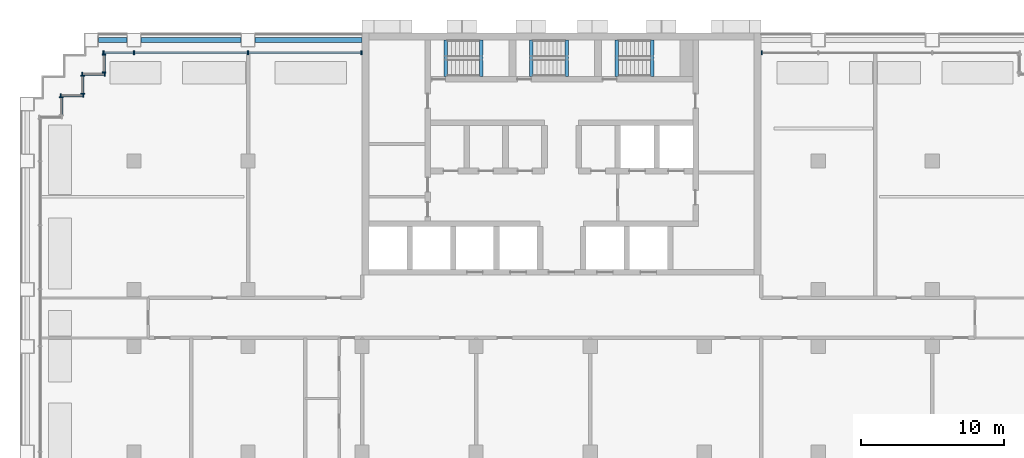
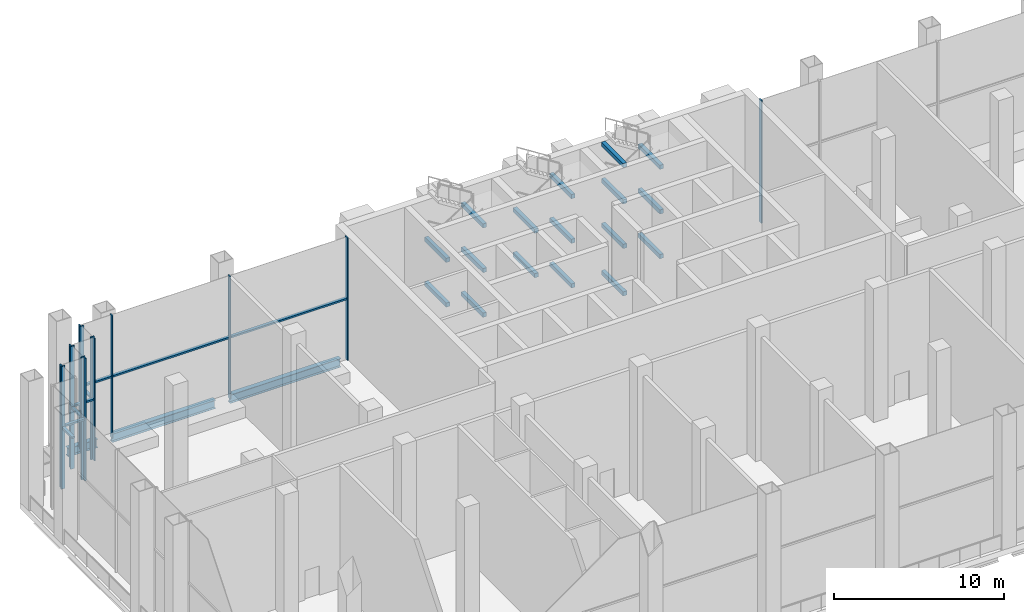
# One storey, part 4 of 16: 22 members, 20 beams, 7 elements without a shape of their own.
"""IFC4 building model written with IfcOpenShell, lengths in metres."""

from ifc_helpers import new_model, si_unit, direction, frame, origin, origin_2d, place, context, subcontext, project, spatial, rectangle, i_section, extrude, material, material_profile, profile_set, type_object, element, aggregate, save


model = new_model("IFC4")

# Units and contexts
model_context = context("Model", 3, precision=1e-05, world=origin(), true_north=direction((0.0, 1.0)))
body_context = subcontext(model_context, "Body", "Model", "MODEL_VIEW")
ifc_project = project(units=[si_unit("LENGTHUNIT", "METRE"), si_unit("AREAUNIT", "SQUARE_METRE"), si_unit("VOLUMEUNIT", "CUBIC_METRE"), si_unit("PLANEANGLEUNIT", "RADIAN"), si_unit("MASSUNIT", "GRAM", prefix="KILO")], contexts=[model_context])

# Site, building, storey
site_placement = place(None, origin())
site = spatial("IfcSite", under=ifc_project, at=site_placement, CompositionType="ELEMENT")
building_placement = place(site_placement, origin())
building = spatial("IfcBuilding", under=site, at=building_placement, Name="Vidyagriha Tower", CompositionType="ELEMENT")
storey_placement = place(building_placement, frame((0.0, 0.0, 64.0)))
storey = spatial("IfcBuildingStorey", under=building, at=storey_placement, Name="L17", CompositionType="ELEMENT", Elevation=64.0)

# Beams
ifc_material_1 = material(Name="Steel ASTM A992 Grade 50", Category="steel")
ifc_material_profile_1 = material_profile(ifc_material_1, i_section(OverallWidth=0.32373046875, OverallDepth=0.612060546875, WebThickness=0.0126953125, FlangeThickness=0.01904296875, at=origin_2d()), Name="W24X104")
ifc_profile_set_1 = profile_set([ifc_material_profile_1], Name="Steel ASTM A992 Grade 50")
beam_type_1 = type_object("IfcBeamType", Name="Edge beam W24X104", PredefinedType="SPANDREL", material=ifc_profile_set_1)
beam_1_placement = place(storey_placement, frame((-32.5, 19.5, -0.7060546875), z_axis=(1.0, 0.0, 0.0), x_axis=(0.0, 1.0, 0.0)))
element("IfcBeam", 1, at=beam_1_placement, inside=storey, type_object=beam_type_1, Name="st-beam-L17-NW20", PredefinedType="SPANDREL", context=body_context, shape_type="SweptSolid", body=[
    extrude(i_section(OverallWidth=0.32373046875, OverallDepth=0.612060546875, WebThickness=0.0126953125, FlangeThickness=0.01904296875, at=origin_2d()), origin(), (0.0, 0.0, 1.0), 2.0),
])
beam_2_placement = place(storey_placement, frame((-29.5, 19.5, -0.7060546875), z_axis=(1.0, 0.0, 0.0), x_axis=(0.0, 1.0, 0.0)))
element("IfcBeam", 2, at=beam_2_placement, inside=storey, type_object=beam_type_1, Name="st-beam-L17-NW21", PredefinedType="SPANDREL", context=body_context, shape_type="SweptSolid", body=[
    extrude(i_section(OverallWidth=0.32373046875, OverallDepth=0.612060546875, WebThickness=0.0126953125, FlangeThickness=0.01904296875, at=origin_2d()), origin(), (0.0, 0.0, 1.0), 7.0),
])
beam_3_placement = place(storey_placement, frame((-21.5, 19.5, -0.7060546875), z_axis=(1.0, 0.0, 0.0), x_axis=(0.0, 1.0, 0.0)))
element("IfcBeam", 3, at=beam_3_placement, inside=storey, type_object=beam_type_1, Name="st-beam-L17-NC24", PredefinedType="SPANDREL", context=body_context, shape_type="SweptSolid", body=[
    extrude(i_section(OverallWidth=0.32373046875, OverallDepth=0.612060546875, WebThickness=0.0126953125, FlangeThickness=0.01904296875, at=origin_2d()), origin(), (0.0, 0.0, 1.0), 7.5),
])

# Curtain wall, member
ifc_material_2 = material(Name="Aluminium and glass curtain wall", Category="aluminium")
curtain_wall_type = type_object("IfcCurtainWallType", Name="Winter garden glazing wall", PredefinedType="USERDEFINED", material=ifc_material_2)
curtain_wall_1_placement = place(storey_placement, origin())
curtain_wall_1 = element("IfcCurtainWall", 4, at=curtain_wall_1_placement, inside=storey, type_object=curtain_wall_type, Name="CW3 winter garden glazing", ObjectType="STICK GLAZING", PredefinedType="USERDEFINED")
ifc_material_3 = material(Name="Aluminium black anodised", Category="aluminium")
ifc_material_profile_2 = material_profile(ifc_material_3, rectangle(XDim=0.260009765625, YDim=0.080078125, at=origin_2d()), Name="Mullion 80x260 black aluminium")
ifc_profile_set_2 = profile_set([ifc_material_profile_2], Name="Aluminium black anodised")
member_type_1 = type_object("IfcMemberType", Name="Mullion 80x260 black aluminium", PredefinedType="MULLION", material=ifc_profile_set_2)
member_1_placement = place(storey_placement, frame((14.0400390625, 18.60009765625, 0.0), z_axis=(0.0, 0.0, 1.0), x_axis=(0.0, -1.0, 0.0)))
member_1 = element("IfcMember", 5, at=member_1_placement, type_object=member_type_1, Name="CW3 mullion 4", PredefinedType="MULLION", context=body_context, shape_type="SweptSolid", body=[
    extrude(rectangle(XDim=0.260009765625, YDim=0.080078125, at=origin_2d()), origin(), (0.0, 0.0, 1.0), 8.800048828125),
])
aggregate(curtain_wall_1, [member_1])

# Curtain wall, members
curtain_wall_2_placement = place(storey_placement, origin())
curtain_wall_2 = element("IfcCurtainWall", 6, at=curtain_wall_2_placement, inside=storey, type_object=curtain_wall_type, Name="CW3 winter garden glazing", ObjectType="STICK GLAZING", PredefinedType="USERDEFINED")
member_2_placement = place(storey_placement, frame((-14.0400390625, 18.60009765625, 0.0), z_axis=(0.0, 0.0, 1.0), x_axis=(0.0, -1.0, 0.0)))
member_2 = element("IfcMember", 7, at=member_2_placement, type_object=member_type_1, Name="CW3 mullion 1", PredefinedType="MULLION", context=body_context, shape_type="SweptSolid", body=[
    extrude(rectangle(XDim=0.260009765625, YDim=0.080078125, at=origin_2d()), origin(), (0.0, 0.0, 1.0), 8.800048828125),
])
member_3_placement = place(storey_placement, frame((-22.0, 18.60009765625, 0.0), z_axis=(0.0, 0.0, 1.0), x_axis=(0.0, -1.0, 0.0)))
member_3 = element("IfcMember", 8, at=member_3_placement, type_object=member_type_1, Name="CW3 mullion 2", PredefinedType="MULLION", context=body_context, shape_type="SweptSolid", body=[
    extrude(rectangle(XDim=0.260009765625, YDim=0.080078125, at=origin_2d()), origin(), (0.0, 0.0, 1.0), 8.800048828125),
])
member_4_placement = place(storey_placement, frame((-30.0, 18.60009765625, 0.0), z_axis=(0.0, 0.0, 1.0), x_axis=(0.0, -1.0, 0.0)))
member_4 = element("IfcMember", 9, at=member_4_placement, type_object=member_type_1, Name="CW3 mullion 3", PredefinedType="MULLION", context=body_context, shape_type="SweptSolid", body=[
    extrude(rectangle(XDim=0.260009765625, YDim=0.080078125, at=origin_2d()), origin(), (0.0, 0.0, 1.0), 8.800048828125),
])
member_5_placement = place(storey_placement, frame((-32.139892578125, 18.60009765625, 0.0), z_axis=(0.0, 0.0, 1.0), x_axis=(0.0, -1.0, 0.0)))
member_5 = element("IfcMember", 10, at=member_5_placement, type_object=member_type_1, Name="CW3 mullion 4", PredefinedType="MULLION", context=body_context, shape_type="SweptSolid", body=[
    extrude(rectangle(XDim=0.260009765625, YDim=0.080078125, at=origin_2d()), origin(), (0.0, 0.0, 1.0), 8.800048828125),
])

curtain_wall_3_placement = place(storey_placement, origin())
curtain_wall_3 = element("IfcCurtainWall", 11, at=curtain_wall_3_placement, inside=storey, type_object=curtain_wall_type, Name="CW3 winter garden glazing", ObjectType="STICK GLAZING", PredefinedType="USERDEFINED")
member_6_placement = place(storey_placement, frame((-32.10009765625, 18.47998046875, 0.0)))
member_6 = element("IfcMember", 12, at=member_6_placement, type_object=member_type_1, Name="CW3 mullion 1", PredefinedType="MULLION", context=body_context, shape_type="SweptSolid", body=[
    extrude(rectangle(XDim=0.260009765625, YDim=0.080078125, at=origin_2d()), origin(), (0.0, 0.0, 1.0), 8.800048828125),
])
member_7_placement = place(storey_placement, frame((-32.10009765625, 17.219970703125, 0.0)))
member_7 = element("IfcMember", 13, at=member_7_placement, type_object=member_type_1, Name="CW3 mullion 2", PredefinedType="MULLION", context=body_context, shape_type="SweptSolid", body=[
    extrude(rectangle(XDim=0.260009765625, YDim=0.080078125, at=origin_2d()), origin(), (0.0, 0.0, 1.0), 8.800048828125),
])

curtain_wall_4_placement = place(storey_placement, origin())
curtain_wall_4 = element("IfcCurtainWall", 14, at=curtain_wall_4_placement, inside=storey, type_object=curtain_wall_type, Name="CW3 winter garden glazing", ObjectType="STICK GLAZING", PredefinedType="USERDEFINED")
member_8_placement = place(storey_placement, frame((-32.06005859375, 17.10009765625, 0.0), z_axis=(0.0, 0.0, 1.0), x_axis=(0.0, -1.0, 0.0)))
member_8 = element("IfcMember", 15, at=member_8_placement, type_object=member_type_1, Name="CW3 mullion 1", PredefinedType="MULLION", context=body_context, shape_type="SweptSolid", body=[
    extrude(rectangle(XDim=0.260009765625, YDim=0.080078125, at=origin_2d()), origin(), (0.0, 0.0, 1.0), 8.800048828125),
])
member_9_placement = place(storey_placement, frame((-33.639892578125, 17.10009765625, 0.0), z_axis=(0.0, 0.0, 1.0), x_axis=(0.0, -1.0, 0.0)))
member_9 = element("IfcMember", 16, at=member_9_placement, type_object=member_type_1, Name="CW3 mullion 2", PredefinedType="MULLION", context=body_context, shape_type="SweptSolid", body=[
    extrude(rectangle(XDim=0.260009765625, YDim=0.080078125, at=origin_2d()), origin(), (0.0, 0.0, 1.0), 8.800048828125),
])

curtain_wall_5_placement = place(storey_placement, origin())
curtain_wall_5 = element("IfcCurtainWall", 17, at=curtain_wall_5_placement, inside=storey, type_object=curtain_wall_type, Name="CW3 winter garden glazing", ObjectType="STICK GLAZING", PredefinedType="USERDEFINED")
member_10_placement = place(storey_placement, frame((-33.60009765625, 16.97998046875, 0.0)))
member_10 = element("IfcMember", 18, at=member_10_placement, type_object=member_type_1, Name="CW3 mullion 1", PredefinedType="MULLION", context=body_context, shape_type="SweptSolid", body=[
    extrude(rectangle(XDim=0.260009765625, YDim=0.080078125, at=origin_2d()), origin(), (0.0, 0.0, 1.0), 8.800048828125),
])
member_11_placement = place(storey_placement, frame((-33.60009765625, 15.719970703125, 0.0)))
member_11 = element("IfcMember", 19, at=member_11_placement, type_object=member_type_1, Name="CW3 mullion 2", PredefinedType="MULLION", context=body_context, shape_type="SweptSolid", body=[
    extrude(rectangle(XDim=0.260009765625, YDim=0.080078125, at=origin_2d()), origin(), (0.0, 0.0, 1.0), 8.800048828125),
])

curtain_wall_6_placement = place(storey_placement, origin())
curtain_wall_6 = element("IfcCurtainWall", 20, at=curtain_wall_6_placement, inside=storey, type_object=curtain_wall_type, Name="CW3 winter garden glazing", ObjectType="STICK GLAZING", PredefinedType="USERDEFINED")
member_12_placement = place(storey_placement, frame((-33.56005859375, 15.60009765625, 0.0), z_axis=(0.0, 0.0, 1.0), x_axis=(0.0, -1.0, 0.0)))
member_12 = element("IfcMember", 21, at=member_12_placement, type_object=member_type_1, Name="CW3 mullion 1", PredefinedType="MULLION", context=body_context, shape_type="SweptSolid", body=[
    extrude(rectangle(XDim=0.260009765625, YDim=0.080078125, at=origin_2d()), origin(), (0.0, 0.0, 1.0), 8.800048828125),
])
member_13_placement = place(storey_placement, frame((-35.139892578125, 15.60009765625, 0.0), z_axis=(0.0, 0.0, 1.0), x_axis=(0.0, -1.0, 0.0)))
member_13 = element("IfcMember", 22, at=member_13_placement, type_object=member_type_1, Name="CW3 mullion 2", PredefinedType="MULLION", context=body_context, shape_type="SweptSolid", body=[
    extrude(rectangle(XDim=0.260009765625, YDim=0.080078125, at=origin_2d()), origin(), (0.0, 0.0, 1.0), 8.800048828125),
])

# Curtain wall, member
curtain_wall_7_placement = place(storey_placement, origin())
curtain_wall_7 = element("IfcCurtainWall", 23, at=curtain_wall_7_placement, inside=storey, type_object=curtain_wall_type, Name="CW3 winter garden glazing", ObjectType="STICK GLAZING", PredefinedType="USERDEFINED")
member_14_placement = place(storey_placement, frame((-35.10009765625, 15.47998046875, 0.0)))
member_14 = element("IfcMember", 24, at=member_14_placement, type_object=member_type_1, Name="CW3 mullion 1", PredefinedType="MULLION", context=body_context, shape_type="SweptSolid", body=[
    extrude(rectangle(XDim=0.260009765625, YDim=0.080078125, at=origin_2d()), origin(), (0.0, 0.0, 1.0), 8.800048828125),
])

# Beams
ifc_material_4 = material(Name="Concrete C40/50", Category="concrete")
ifc_material_profile_3 = material_profile(ifc_material_4, rectangle(XDim=0.25, YDim=0.300048828125, at=origin_2d()), Name="Stair landing bearing beam 250x300")
ifc_profile_set_3 = profile_set([ifc_material_profile_3], Name="Concrete C40/50")
beam_type_2 = type_object("IfcBeamType", Name="Stair landing bearing beam 250x300", PredefinedType="BEAM", material=ifc_profile_set_3)
for number, where, z_axis, x_axis, name in (
    (25, (3.875, 16.949951171875, -0.550048828125), (0.0, 1.0, 0.0), (-1.0, 0.0, 0.0), "ST3 floor landing bearing beam L17"),
    (26, (3.875, 16.949951171875, 8.64990234375), (0.0, 1.0, 0.0), (-1.0, 0.0, 0.0), "ST3 floor landing bearing beam L18"),
    (27, (-5.635009765625, 16.949951171875, 1.25), (0.0, 1.0, 0.0), (-1.0, 0.0, 0.0), "ST1 landing bearing beam L17"),
    (28, (-8.125, 16.949951171875, 2.85009765625), (0.0, 1.0, 0.0), (-1.0, 0.0, 0.0), "ST1 landing bearing beam L17"),
    (29, (-5.635009765625, 16.949951171875, 4.449951171875), (0.0, 1.0, 0.0), (-1.0, 0.0, 0.0), "ST1 landing bearing beam L17"),
    (30, (-8.125, 16.949951171875, 6.050048828125), (0.0, 1.0, 0.0), (-1.0, 0.0, 0.0), "ST1 landing bearing beam L17"),
    (31, (-5.635009765625, 16.949951171875, 7.64990234375), (0.0, 1.0, 0.0), (-1.0, 0.0, 0.0), "ST1 landing bearing beam L17"),
    (32, (0.364990234375, 16.949951171875, 1.25), (0.0, 1.0, 0.0), (-1.0, 0.0, 0.0), "ST2 landing bearing beam L17"),
    (33, (-2.125, 16.949951171875, 2.85009765625), (0.0, 1.0, 0.0), (-1.0, 0.0, 0.0), "ST2 landing bearing beam L17"),
    (34, (0.364990234375, 16.949951171875, 4.449951171875), (0.0, 1.0, 0.0), (-1.0, 0.0, 0.0), "ST2 landing bearing beam L17"),
    (35, (-2.125, 16.949951171875, 6.050048828125), (0.0, 1.0, 0.0), (-1.0, 0.0, 0.0), "ST2 landing bearing beam L17"),
    (36, (0.364990234375, 16.949951171875, 7.64990234375), (0.0, 1.0, 0.0), (-1.0, 0.0, 0.0), "ST2 landing bearing beam L17"),
    (37, (6.364990234375, 16.949951171875, 1.25), (0.0, 1.0, 0.0), (-1.0, 0.0, 0.0), "ST3 landing bearing beam L17"),
    (38, (3.875, 16.949951171875, 2.85009765625), (0.0, 1.0, 0.0), (-1.0, 0.0, 0.0), "ST3 landing bearing beam L17"),
    (39, (6.364990234375, 16.949951171875, 4.449951171875), (0.0, 1.0, 0.0), (-1.0, 0.0, 0.0), "ST3 landing bearing beam L17"),
    (40, (3.875, 16.949951171875, 6.050048828125), (0.0, 1.0, 0.0), (-1.0, 0.0, 0.0), "ST3 landing bearing beam L17"),
    (41, (6.364990234375, 16.949951171875, 7.64990234375), (0.0, 1.0, 0.0), (-1.0, 0.0, 0.0), "ST3 landing bearing beam L17"),
):
    element("IfcBeam", number, at=place(storey_placement, frame(where, z_axis=z_axis, x_axis=x_axis)), inside=storey, type_object=beam_type_2, Name=name, PredefinedType="BEAM", context=body_context, shape_type="SweptSolid", body=[
        extrude(rectangle(XDim=0.25, YDim=0.300048828125, at=origin_2d()), origin(), (0.0, 0.0, 1.0), 2.550048828125),
    ])

# Member
ifc_material_5 = material(Name="Aluminium black anodised", Category="aluminium")
ifc_material_profile_4 = material_profile(ifc_material_5, rectangle(XDim=0.199951171875, YDim=0.1201171875, at=origin_2d()), Name="Transom 120x200 black aluminium")
ifc_profile_set_4 = profile_set([ifc_material_profile_4], Name="Aluminium black anodised")
member_type_2 = type_object("IfcMemberType", Name="Transom 120x200 black aluminium", PredefinedType="USERDEFINED", material=ifc_profile_set_4)
member_15_placement = place(storey_placement, frame((-14.080078125, 18.60009765625, 4.39990234375), z_axis=(-1.0, 0.0, 0.0), x_axis=(0.0, -1.0, 0.0)))
member_15 = element("IfcMember", 42, at=member_15_placement, type_object=member_type_2, Name="CW3 transom 1.1", ObjectType="TRANSOM", PredefinedType="USERDEFINED", context=body_context, shape_type="SweptSolid", body=[
    extrude(rectangle(XDim=0.199951171875, YDim=0.1201171875, at=origin_2d()), origin(), (0.0, 0.0, 1.0), 7.8798828125),
])

member_16_placement = place(storey_placement, frame((-22.0400390625, 18.60009765625, 4.39990234375), z_axis=(-1.0, 0.0, 0.0), x_axis=(0.0, -1.0, 0.0)))
member_16 = element("IfcMember", 43, at=member_16_placement, type_object=member_type_2, Name="CW3 transom 2.1", ObjectType="TRANSOM", PredefinedType="USERDEFINED", context=body_context, shape_type="SweptSolid", body=[
    extrude(rectangle(XDim=0.199951171875, YDim=0.1201171875, at=origin_2d()), origin(), (0.0, 0.0, 1.0), 7.919921875),
])

member_17_placement = place(storey_placement, frame((-30.0400390625, 18.60009765625, 4.39990234375), z_axis=(-1.0, 0.0, 0.0), x_axis=(0.0, -1.0, 0.0)))
member_17 = element("IfcMember", 44, at=member_17_placement, type_object=member_type_2, Name="CW3 transom 3.1", ObjectType="TRANSOM", PredefinedType="USERDEFINED", context=body_context, shape_type="SweptSolid", body=[
    extrude(rectangle(XDim=0.199951171875, YDim=0.1201171875, at=origin_2d()), origin(), (0.0, 0.0, 1.0), 2.06005859375),
])

aggregate(curtain_wall_2, [member_2, member_3, member_4, member_5, member_15, member_16, member_17])

member_18_placement = place(storey_placement, frame((-32.10009765625, 18.43994140625, 4.39990234375), z_axis=(0.0, -1.0, 0.0), x_axis=(1.0, 0.0, 0.0)))
member_18 = element("IfcMember", 45, at=member_18_placement, type_object=member_type_2, Name="CW3 transom 1.1", ObjectType="TRANSOM", PredefinedType="USERDEFINED", context=body_context, shape_type="SweptSolid", body=[
    extrude(rectangle(XDim=0.199951171875, YDim=0.1201171875, at=origin_2d()), origin(), (0.0, 0.0, 1.0), 1.179931640625),
])

aggregate(curtain_wall_3, [member_6, member_7, member_18])

member_19_placement = place(storey_placement, frame((-32.10009765625, 17.10009765625, 4.39990234375), z_axis=(-1.0, 0.0, 0.0), x_axis=(0.0, -1.0, 0.0)))
member_19 = element("IfcMember", 46, at=member_19_placement, type_object=member_type_2, Name="CW3 transom 1.1", ObjectType="TRANSOM", PredefinedType="USERDEFINED", context=body_context, shape_type="SweptSolid", body=[
    extrude(rectangle(XDim=0.199951171875, YDim=0.1201171875, at=origin_2d()), origin(), (0.0, 0.0, 1.0), 1.5),
])

aggregate(curtain_wall_4, [member_8, member_9, member_19])

member_20_placement = place(storey_placement, frame((-33.60009765625, 16.93994140625, 4.39990234375), z_axis=(0.0, -1.0, 0.0), x_axis=(1.0, 0.0, 0.0)))
member_20 = element("IfcMember", 47, at=member_20_placement, type_object=member_type_2, Name="CW3 transom 1.1", ObjectType="TRANSOM", PredefinedType="USERDEFINED", context=body_context, shape_type="SweptSolid", body=[
    extrude(rectangle(XDim=0.199951171875, YDim=0.1201171875, at=origin_2d()), origin(), (0.0, 0.0, 1.0), 1.179931640625),
])

aggregate(curtain_wall_5, [member_10, member_11, member_20])

member_21_placement = place(storey_placement, frame((-33.60009765625, 15.60009765625, 4.39990234375), z_axis=(-1.0, 0.0, 0.0), x_axis=(0.0, -1.0, 0.0)))
member_21 = element("IfcMember", 48, at=member_21_placement, type_object=member_type_2, Name="CW3 transom 1.1", ObjectType="TRANSOM", PredefinedType="USERDEFINED", context=body_context, shape_type="SweptSolid", body=[
    extrude(rectangle(XDim=0.199951171875, YDim=0.1201171875, at=origin_2d()), origin(), (0.0, 0.0, 1.0), 1.5),
])

aggregate(curtain_wall_6, [member_12, member_13, member_21])

member_22_placement = place(storey_placement, frame((-35.10009765625, 15.43994140625, 4.39990234375), z_axis=(0.0, -1.0, 0.0), x_axis=(1.0, 0.0, 0.0)))
member_22 = element("IfcMember", 49, at=member_22_placement, type_object=member_type_2, Name="CW3 transom 1.1", ObjectType="TRANSOM", PredefinedType="USERDEFINED", context=body_context, shape_type="SweptSolid", body=[
    extrude(rectangle(XDim=0.199951171875, YDim=0.1201171875, at=origin_2d()), origin(), (0.0, 0.0, 1.0), 1.179931640625),
])

aggregate(curtain_wall_7, [member_14, member_22])

save(model, "model.ifc")
